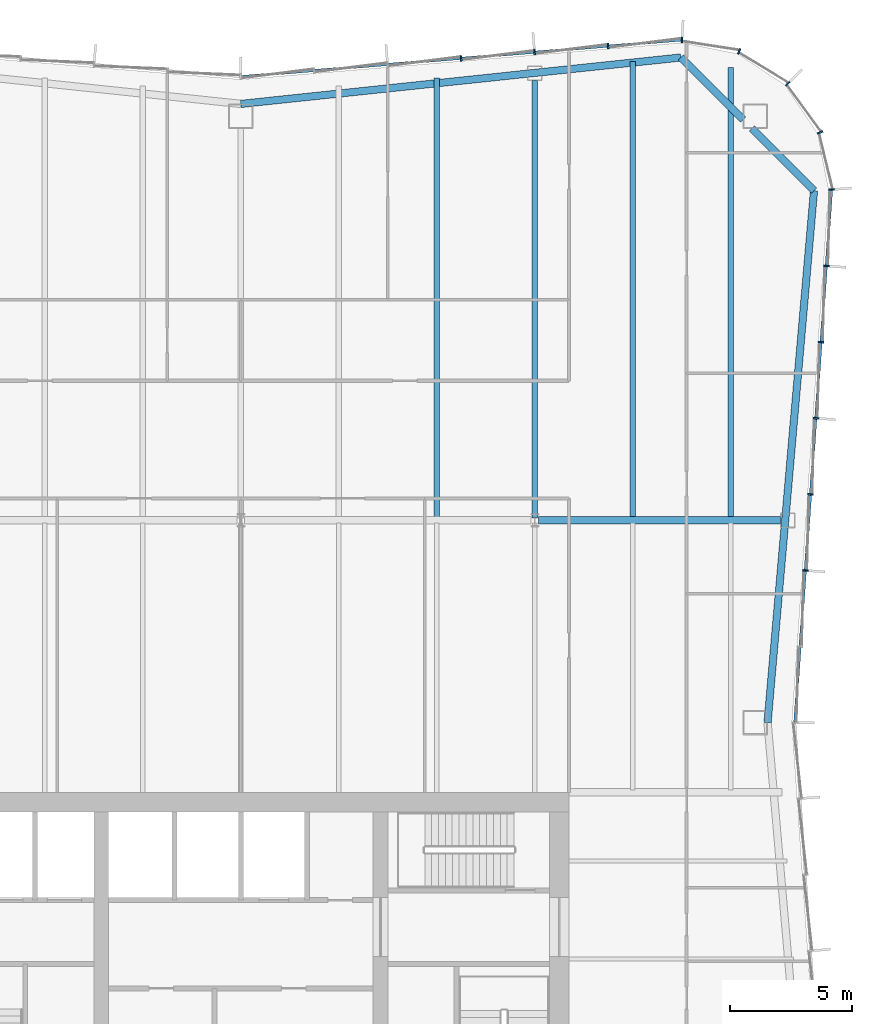
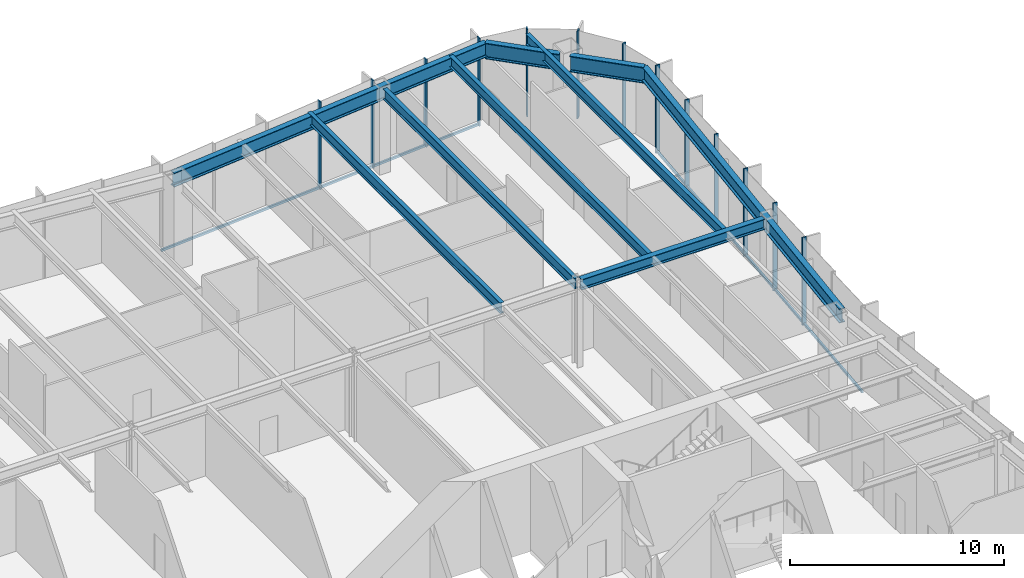
# One storey, part 8 of 15: 15 members, 9 beams, 3 elements without a shape of their own.
"""IFC4 building model written with IfcOpenShell, lengths in metres."""

from ifc_helpers import new_model, si_unit, direction, frame, origin, origin_2d, place, context, subcontext, project, spatial, rectangle, i_section, extrude, material, material_profile, profile_set, type_object, element, aggregate, save


model = new_model("IFC4")

# Units and contexts
model_context = context("Model", 3, precision=1e-05, world=origin(), true_north=direction((0.0, 1.0)))
body_context = subcontext(model_context, "Body", "Model", "MODEL_VIEW")
ifc_project = project(units=[si_unit("LENGTHUNIT", "METRE"), si_unit("AREAUNIT", "SQUARE_METRE"), si_unit("VOLUMEUNIT", "CUBIC_METRE"), si_unit("PLANEANGLEUNIT", "RADIAN"), si_unit("MASSUNIT", "GRAM", prefix="KILO")], contexts=[model_context])

# Site, building, storey
site_placement = place(None, origin())
site = spatial("IfcSite", under=ifc_project, at=site_placement, CompositionType="ELEMENT")
building_placement = place(site_placement, origin())
building = spatial("IfcBuilding", under=site, at=building_placement, Name="Verdant Reach Tower", CompositionType="ELEMENT")
storey_placement = place(building_placement, frame((0.0, 0.0, 233.0)))
storey = spatial("IfcBuildingStorey", under=building, at=storey_placement, Name="L53", CompositionType="ELEMENT", Elevation=233.0)

# Curtain wall, members
ifc_material_1 = material(Name="Anodised aluminium", Category="aluminium")
curtain_wall_type = type_object("IfcCurtainWallType", Name="EN-CW SYSTEM Z4", PredefinedType="NOTDEFINED", material=ifc_material_1)
curtain_wall_1_placement = place(storey_placement, origin())
curtain_wall_1 = element("IfcCurtainWall", 1, at=curtain_wall_1_placement, inside=storey, type_object=curtain_wall_type, Name="Curtain wall east, L53", PredefinedType="NOTDEFINED")
ifc_material_profile_1 = material_profile(ifc_material_1, rectangle(XDim=0.22412109375, YDim=0.068115234375, at=origin_2d()), Name="Mullion 68x224")
ifc_profile_set_1 = profile_set([ifc_material_profile_1], Name="Anodised aluminium")
member_type_1 = type_object("IfcMemberType", Name="EN-MULLION Z4", PredefinedType="MULLION", material=ifc_profile_set_1)
member_1_placement = place(storey_placement, frame((23.040283203125, 47.45654296875, -0.35009765625), z_axis=(0.0, 0.0, 1.0), x_axis=(0.997630328423, -0.068802091615, 0.0)))
member_1 = element("IfcMember", 2, at=member_1_placement, type_object=member_type_1, Name="Mullion east face part 2 3, L53", PredefinedType="MULLION", context=body_context, shape_type="SweptSolid", body=[
    extrude(rectangle(XDim=0.22412109375, YDim=0.068115234375, at=origin_2d()), origin(), (0.0, 0.0, 1.0), 5.0),
])
member_2_placement = place(storey_placement, frame((23.254638671875, 50.563720703125, -0.35009765625), z_axis=(0.0, 0.0, 1.0), x_axis=(0.997630328423, -0.068802091615, 0.0)))
member_2 = element("IfcMember", 3, at=member_2_placement, type_object=member_type_1, Name="Mullion east face part 2 4, L53", PredefinedType="MULLION", context=body_context, shape_type="SweptSolid", body=[
    extrude(rectangle(XDim=0.22412109375, YDim=0.068115234375, at=origin_2d()), origin(), (0.0, 0.0, 1.0), 5.0),
])
member_3_placement = place(storey_placement, frame((23.468994140625, 53.6708984375, -0.35009765625), z_axis=(0.0, 0.0, 1.0), x_axis=(0.997630328423, -0.068802091615, 0.0)))
member_3 = element("IfcMember", 4, at=member_3_placement, type_object=member_type_1, Name="Mullion east face part 2 5, L53", PredefinedType="MULLION", context=body_context, shape_type="SweptSolid", body=[
    extrude(rectangle(XDim=0.22412109375, YDim=0.068115234375, at=origin_2d()), origin(), (0.0, 0.0, 1.0), 5.0),
])
member_4_placement = place(storey_placement, frame((23.68310546875, 56.778076171875, -0.35009765625), z_axis=(0.0, 0.0, 1.0), x_axis=(0.997630328423, -0.068802091615, 0.0)))
member_4 = element("IfcMember", 5, at=member_4_placement, type_object=member_type_1, Name="Mullion east face part 2 6, L53", PredefinedType="MULLION", context=body_context, shape_type="SweptSolid", body=[
    extrude(rectangle(XDim=0.22412109375, YDim=0.068115234375, at=origin_2d()), origin(), (0.0, 0.0, 1.0), 5.0),
])
member_5_placement = place(storey_placement, frame((23.8974609375, 59.88525390625, -0.35009765625), z_axis=(0.0, 0.0, 1.0), x_axis=(0.997630328423, -0.068802091615, 0.0)))
member_5 = element("IfcMember", 6, at=member_5_placement, type_object=member_type_1, Name="Mullion east face part 2 7, L53", PredefinedType="MULLION", context=body_context, shape_type="SweptSolid", body=[
    extrude(rectangle(XDim=0.22412109375, YDim=0.068115234375, at=origin_2d()), origin(), (0.0, 0.0, 1.0), 5.0),
])

curtain_wall_2_placement = place(storey_placement, origin())
curtain_wall_2 = element("IfcCurtainWall", 7, at=curtain_wall_2_placement, inside=storey, type_object=curtain_wall_type, Name="Curtain wall north-east corner, L53", PredefinedType="NOTDEFINED")
member_6_placement = place(storey_placement, frame((24.11181640625, 63.007080078125, -0.35009765625), z_axis=(0.0, 0.0, 1.0), x_axis=(0.997969180898, 0.063698618332, 0.0)))
member_6 = element("IfcMember", 8, at=member_6_placement, type_object=member_type_1, Name="Mullion north-east corner 1, L53", PredefinedType="MULLION", context=body_context, shape_type="SweptSolid", body=[
    extrude(rectangle(XDim=0.22412109375, YDim=0.068115234375, at=origin_2d()), origin(), (0.0, 0.0, 1.0), 5.0),
])
member_7_placement = place(storey_placement, frame((23.646728515625, 65.3388671875, -0.35009765625), z_axis=(0.0, 0.0, 1.0), x_axis=(0.923875215753, 0.382693853776, 0.0)))
member_7 = element("IfcMember", 9, at=member_7_placement, type_object=member_type_1, Name="Mullion north-east corner 2, L53", PredefinedType="MULLION", context=body_context, shape_type="SweptSolid", body=[
    extrude(rectangle(XDim=0.22412109375, YDim=0.068115234375, at=origin_2d()), origin(), (0.0, 0.0, 1.0), 5.0),
])
member_8_placement = place(storey_placement, frame((22.32177734375, 67.32177734375, -0.35009765625), z_axis=(0.0, 0.0, 1.0), x_axis=(0.707106781187, 0.707106781187, 0.0)))
member_8 = element("IfcMember", 10, at=member_8_placement, type_object=member_type_1, Name="Mullion north-east corner 3, L53", PredefinedType="MULLION", context=body_context, shape_type="SweptSolid", body=[
    extrude(rectangle(XDim=0.22412109375, YDim=0.068115234375, at=origin_2d()), origin(), (0.0, 0.0, 1.0), 5.0),
])
member_9_placement = place(storey_placement, frame((20.3388671875, 68.646728515625, -0.35009765625), z_axis=(0.0, 0.0, 1.0), x_axis=(0.382693853776, 0.923875215753, 0.0)))
member_9 = element("IfcMember", 11, at=member_9_placement, type_object=member_type_1, Name="Mullion north-east corner 4, L53", PredefinedType="MULLION", context=body_context, shape_type="SweptSolid", body=[
    extrude(rectangle(XDim=0.22412109375, YDim=0.068115234375, at=origin_2d()), origin(), (0.0, 0.0, 1.0), 5.0),
])
aggregate(curtain_wall_2, [member_6, member_7, member_8, member_9])

curtain_wall_3_placement = place(storey_placement, origin())
curtain_wall_3 = element("IfcCurtainWall", 12, at=curtain_wall_3_placement, inside=storey, type_object=curtain_wall_type, Name="Curtain wall north, L53", PredefinedType="NOTDEFINED")
member_10_placement = place(storey_placement, frame((18.00634765625, 69.11181640625, -0.35009765625), z_axis=(0.0, 0.0, 1.0), x_axis=(0.056569187765, 0.998398681387, 0.0)))
member_10 = element("IfcMember", 13, at=member_10_placement, type_object=member_type_1, Name="Mullion north face part 1 1, L53", PredefinedType="MULLION", context=body_context, shape_type="SweptSolid", body=[
    extrude(rectangle(XDim=0.22412109375, YDim=0.068115234375, at=origin_2d()), origin(), (0.0, 0.0, 1.0), 5.0),
])
member_11_placement = place(storey_placement, frame((14.99072265625, 68.861572265625, -0.35009765625), z_axis=(0.0, 0.0, 1.0), x_axis=(-0.083045479859, 0.996545758244, 0.0)))
member_11 = element("IfcMember", 14, at=member_11_placement, type_object=member_type_1, Name="Mullion north face part 1 2, L53", PredefinedType="MULLION", context=body_context, shape_type="SweptSolid", body=[
    extrude(rectangle(XDim=0.22412109375, YDim=0.068115234375, at=origin_2d()), origin(), (0.0, 0.0, 1.0), 5.0),
])
member_12_placement = place(storey_placement, frame((11.99072265625, 68.611572265625, -0.35009765625), z_axis=(0.0, 0.0, 1.0), x_axis=(-0.083045479859, 0.996545758244, 0.0)))
member_12 = element("IfcMember", 15, at=member_12_placement, type_object=member_type_1, Name="Mullion north face part 1 3, L53", PredefinedType="MULLION", context=body_context, shape_type="SweptSolid", body=[
    extrude(rectangle(XDim=0.22412109375, YDim=0.068115234375, at=origin_2d()), origin(), (0.0, 0.0, 1.0), 5.0),
])
member_13_placement = place(storey_placement, frame((8.99072265625, 68.361572265625, -0.35009765625), z_axis=(0.0, 0.0, 1.0), x_axis=(-0.083045479859, 0.996545758244, 0.0)))
member_13 = element("IfcMember", 16, at=member_13_placement, type_object=member_type_1, Name="Mullion north face part 1 4, L53", PredefinedType="MULLION", context=body_context, shape_type="SweptSolid", body=[
    extrude(rectangle(XDim=0.22412109375, YDim=0.068115234375, at=origin_2d()), origin(), (0.0, 0.0, 1.0), 5.0),
])

# Member
ifc_material_profile_2 = material_profile(ifc_material_1, rectangle(XDim=0.10009765625, YDim=0.1279296875, at=origin_2d()), Name="Transom 128x100")
ifc_profile_set_2 = profile_set([ifc_material_profile_2], Name="Anodised aluminium")
member_type_2 = type_object("IfcMemberType", Name="EN-TRANSOM Z4", PredefinedType="USERDEFINED", material=ifc_profile_set_2)
member_14_placement = place(storey_placement, frame((22.6142578125, 41.283935546875, -0.285888671875), z_axis=(0.068770489035, 0.997632507408, 0.0), x_axis=(-0.997632507408, 0.068770489035, 0.0)))
member_14 = element("IfcMember", 17, at=member_14_placement, type_object=member_type_2, Name="Transom east face part 2 1.1, L53", ObjectType="TRANSOM", PredefinedType="USERDEFINED", context=body_context, shape_type="SweptSolid", body=[
    extrude(rectangle(XDim=0.10009765625, YDim=0.1279296875, at=origin_2d()), origin(), (0.0, 0.0, 1.0), 21.74072265625),
])

aggregate(curtain_wall_1, [member_1, member_2, member_3, member_4, member_5, member_14])

member_15_placement = place(storey_placement, frame((17.972412109375, 69.10888671875, -0.285888671875), z_axis=(-0.996549124771, -0.083005071637, 0.0), x_axis=(0.083005071637, -0.996549124771, 0.0)))
member_15 = element("IfcMember", 18, at=member_15_placement, type_object=member_type_2, Name="Transom north face part 1 1.1, L53", ObjectType="TRANSOM", PredefinedType="USERDEFINED", context=body_context, shape_type="SweptSolid", body=[
    extrude(rectangle(XDim=0.10009765625, YDim=0.1279296875, at=origin_2d()), origin(), (0.0, 0.0, 1.0), 18.00048828125),
])

aggregate(curtain_wall_3, [member_10, member_11, member_12, member_13, member_15])

# Beams
ifc_material_2 = material(Name="Steel S355", Category="steel")
ifc_material_profile_3 = material_profile(ifc_material_2, i_section(OverallWidth=0.300048828125, OverallDepth=0.60009765625, WebThickness=0.015380859375, FlangeThickness=0.030029296875, FilletRadius=0.027099609375, at=origin_2d()), Name="HEB 600")
ifc_profile_set_3 = profile_set([ifc_material_profile_3], Name="Steel S355")
beam_type_1 = type_object("IfcBeamType", Name="ST-BEAM-HEB600", PredefinedType="BEAM", material=ifc_profile_set_3)
beam_1_placement = place(storey_placement, frame((12.153076171875, 49.5, 4.570068359375), z_axis=(1.0, 0.0, 0.0), x_axis=(0.0, 1.0, 0.0)))
element("IfcBeam", 19, at=beam_1_placement, inside=storey, type_object=beam_type_1, Name="Row girder, L53", PredefinedType="BEAM", context=body_context, shape_type="SweptSolid", body=[
    extrude(i_section(OverallWidth=0.300048828125, OverallDepth=0.60009765625, WebThickness=0.015380859375, FlangeThickness=0.030029296875, FilletRadius=0.027099609375, at=origin_2d()), origin(), (0.0, 0.0, 1.0), 9.865966796875),
])
ifc_material_profile_4 = material_profile(ifc_material_2, i_section(OverallWidth=0.219970703125, OverallDepth=0.60009765625, WebThickness=0.011962890625, FlangeThickness=0.01904296875, FilletRadius=0.02392578125, at=origin_2d()), Name="IPE 600")
ifc_profile_set_4 = profile_set([ifc_material_profile_4], Name="Steel S355")
beam_type_2 = type_object("IfcBeamType", Name="ST-JOIST-IPE600", PredefinedType="JOIST", material=ifc_profile_set_4)
beam_2_placement = place(storey_placement, frame((8.0, 49.60009765625, 4.570068359375), z_axis=(0.0, 1.0, 0.0), x_axis=(-1.0, 0.0, 0.0)))
element("IfcBeam", 20, at=beam_2_placement, inside=storey, type_object=beam_type_2, Name="Floor joist, L53", PredefinedType="JOIST", context=body_context, shape_type="SweptSolid", body=[
    extrude(i_section(OverallWidth=0.219970703125, OverallDepth=0.60009765625, WebThickness=0.011962890625, FlangeThickness=0.01904296875, FilletRadius=0.02392578125, at=origin_2d()), origin(), (0.0, 0.0, 1.0), 17.964599609375),
])
beam_3_placement = place(storey_placement, frame((12.0, 49.60009765625, 4.570068359375), z_axis=(0.0, 1.0, 0.0), x_axis=(-1.0, 0.0, 0.0)))
element("IfcBeam", 21, at=beam_3_placement, inside=storey, type_object=beam_type_2, Name="Floor joist, L53", PredefinedType="JOIST", context=body_context, shape_type="SweptSolid", body=[
    extrude(i_section(OverallWidth=0.219970703125, OverallDepth=0.60009765625, WebThickness=0.011962890625, FlangeThickness=0.01904296875, FilletRadius=0.02392578125, at=origin_2d()), origin(), (0.0, 0.0, 1.0), 17.849853515625),
])
beam_4_placement = place(storey_placement, frame((16.0, 49.60009765625, 4.570068359375), z_axis=(0.0, 1.0, 0.0), x_axis=(-1.0, 0.0, 0.0)))
element("IfcBeam", 22, at=beam_4_placement, inside=storey, type_object=beam_type_2, Name="Floor joist, L53", PredefinedType="JOIST", context=body_context, shape_type="SweptSolid", body=[
    extrude(i_section(OverallWidth=0.219970703125, OverallDepth=0.60009765625, WebThickness=0.011962890625, FlangeThickness=0.01904296875, FilletRadius=0.02392578125, at=origin_2d()), origin(), (0.0, 0.0, 1.0), 18.631103515625),
])
beam_5_placement = place(storey_placement, frame((20.0, 49.60009765625, 4.570068359375), z_axis=(0.0, 1.0, 0.0), x_axis=(-1.0, 0.0, 0.0)))
element("IfcBeam", 23, at=beam_5_placement, inside=storey, type_object=beam_type_2, Name="Floor joist, L53", PredefinedType="JOIST", context=body_context, shape_type="SweptSolid", body=[
    extrude(i_section(OverallWidth=0.219970703125, OverallDepth=0.60009765625, WebThickness=0.011962890625, FlangeThickness=0.01904296875, FilletRadius=0.02392578125, at=origin_2d()), origin(), (0.0, 0.0, 1.0), 18.390380859375),
])
ifc_material_profile_5 = material_profile(ifc_material_2, i_section(OverallWidth=0.300048828125, OverallDepth=0.800048828125, WebThickness=0.017578125, FlangeThickness=0.032958984375, FilletRadius=0.030029296875, at=origin_2d()), Name="HEB 800")
ifc_profile_set_5 = profile_set([ifc_material_profile_5], Name="Steel S355")
beam_type_3 = type_object("IfcBeamType", Name="ST-SPANDREL-HEB800", PredefinedType="SPANDREL", material=ifc_profile_set_5)
beam_6_placement = place(storey_placement, frame((0.0, 66.5, 4.469970703125), z_axis=(0.994483067002, 0.104897232783, 0.0), x_axis=(-0.104897232783, 0.994483067002, 0.0)))
element("IfcBeam", 24, at=beam_6_placement, inside=storey, type_object=beam_type_3, Name="Edge beam, L53", PredefinedType="SPANDREL", context=body_context, shape_type="SweptSolid", body=[
    extrude(i_section(OverallWidth=0.300048828125, OverallDepth=0.800048828125, WebThickness=0.017578125, FlangeThickness=0.032958984375, FilletRadius=0.030029296875, at=origin_2d()), origin(), (0.0, 0.0, 1.0), 18.0654296875),
])
beam_7_placement = place(storey_placement, frame((23.39599609375, 62.96142578125, 4.469970703125), z_axis=(-0.086996024331, -0.996208658741, 0.0), x_axis=(0.996208658741, -0.086996024331, 0.0)))
element("IfcBeam", 25, at=beam_7_placement, inside=storey, type_object=beam_type_3, Name="Edge beam, L53", PredefinedType="SPANDREL", context=body_context, shape_type="SweptSolid", body=[
    extrude(i_section(OverallWidth=0.300048828125, OverallDepth=0.800048828125, WebThickness=0.017578125, FlangeThickness=0.032958984375, FilletRadius=0.030029296875, at=origin_2d()), origin(), (0.0, 0.0, 1.0), 21.7939453125),
])
ifc_material_profile_6 = material_profile(ifc_material_2, i_section(OverallWidth=0.302001953125, OverallDepth=0.909912109375, WebThickness=0.02099609375, FlangeThickness=0.0400390625, FilletRadius=0.030029296875, at=origin_2d()), Name="HEM 900")
ifc_profile_set_6 = profile_set([ifc_material_profile_6], Name="Steel S355")
beam_type_4 = type_object("IfcBeamType", Name="ST-SPANDREL-HEM900", PredefinedType="SPANDREL", material=ifc_profile_set_6)
beam_8_placement = place(storey_placement, frame((17.9658203125, 68.39501953125, 4.4150390625), z_axis=(0.706868394255, -0.707345087777, 0.0), x_axis=(0.707345087777, 0.706868394255, 0.0)))
element("IfcBeam", 26, at=beam_8_placement, inside=storey, type_object=beam_type_4, Name="Edge beam, L53", PredefinedType="SPANDREL", context=body_context, shape_type="SweptSolid", body=[
    extrude(i_section(OverallWidth=0.302001953125, OverallDepth=0.909912109375, WebThickness=0.02099609375, FlangeThickness=0.0400390625, FilletRadius=0.030029296875, at=origin_2d()), origin(), (0.0, 0.0, 1.0), 3.5849609375),
])
beam_9_placement = place(storey_placement, frame((20.85888671875, 65.5, 4.4150390625), z_axis=(0.706902680526, -0.707310822952, 0.0), x_axis=(0.707310822952, 0.706902680526, 0.0)))
element("IfcBeam", 27, at=beam_9_placement, inside=storey, type_object=beam_type_4, Name="Edge beam, L53", PredefinedType="SPANDREL", context=body_context, shape_type="SweptSolid", body=[
    extrude(i_section(OverallWidth=0.302001953125, OverallDepth=0.909912109375, WebThickness=0.02099609375, FlangeThickness=0.0400390625, FilletRadius=0.030029296875, at=origin_2d()), origin(), (0.0, 0.0, 1.0), 3.589111328125),
])

save(model, "model.ifc")
